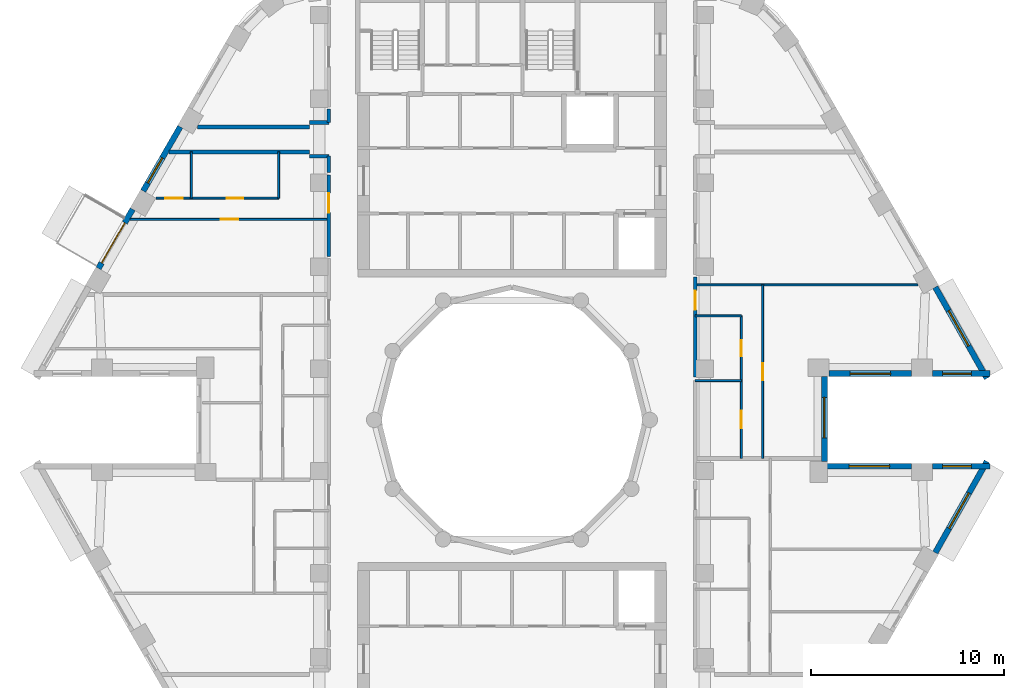
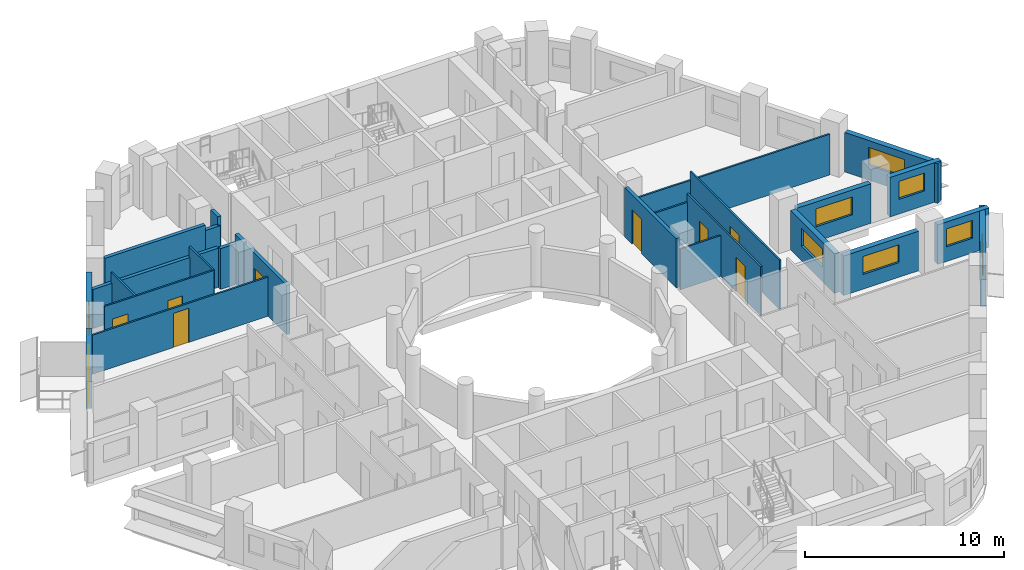
# One storey, part 6 of 13: 26 walls, 9 doors, 8 windows, 17 openings.
"""IFC4 building model written with IfcOpenShell, lengths in metres."""

from ifc_helpers import new_model, si_unit, direction, frame, frame_2d, origin, place, context, subcontext, project, spatial, rectangle, extrude, material, layer, layer_set, type_object, element, fill, save


model = new_model("IFC4")

# Units and contexts
model_context = context("Model", 3, precision=1e-05, world=origin(), true_north=direction((0.0, 1.0)))
body_context = subcontext(model_context, "Body", "Model", "MODEL_VIEW")
ifc_project = project(units=[si_unit("LENGTHUNIT", "METRE"), si_unit("AREAUNIT", "SQUARE_METRE"), si_unit("VOLUMEUNIT", "CUBIC_METRE"), si_unit("PLANEANGLEUNIT", "RADIAN"), si_unit("MASSUNIT", "GRAM", prefix="KILO")], contexts=[model_context])

# Site, building, storey
site_placement = place(None, origin())
site = spatial("IfcSite", under=ifc_project, at=site_placement, CompositionType="ELEMENT")
building_placement = place(site_placement, origin())
building = spatial("IfcBuilding", under=site, at=building_placement, Name="Nakaniwa Court", CompositionType="ELEMENT")
storey_placement = place(building_placement, frame((0.0, 0.0, 242.699951171875)))
storey = spatial("IfcBuildingStorey", under=building, at=storey_placement, Name="L63", CompositionType="ELEMENT", Elevation=242.699951171875)

# Wall, opening, door
ifc_material_1 = material(Name="Acoustic double stud partition")
ifc_layer_1 = layer(ifc_material_1, 0.199951171875)
ifc_layer_set_1 = layer_set([ifc_layer_1], Name="Acoustic double stud partition")
wall_type_1 = type_object("IfcWallType", Name="Acoustic double stud partition 200", PredefinedType="PARTITIONING", material=ifc_layer_set_1)
wall_1_placement = place(storey_placement, frame((89.5, 87.423095703125, 0.0), z_axis=(0.0, 0.0, 1.0), x_axis=(0.0, -1.0, 0.0)))
wall_1 = element("IfcWall", 1, at=wall_1_placement, inside=storey, type_object=wall_type_1, Name="Partition PW-067", PredefinedType="PARTITIONING", context=body_context, shape_type="SweptSolid", body=[
    extrude(rectangle(XDim=5.18603515625, YDim=0.199951171875, at=frame_2d((2.593017578125, 0.0))), origin(), (0.0, 0.0, 1.0), 3.025146484375),
])
opening_1_placement = place(wall_1_placement, frame((0.722900390625, 0.0, 0.0)))
opening_1 = element("IfcOpeningElement", 2, at=opening_1_placement, cuts=wall_1, Name="Opening D-01-02", PredefinedType="OPENING", context=body_context, shape_type="SweptSolid", body=[
    extrude(rectangle(XDim=1.0, YDim=2.10009765625, at=frame_2d((0.5, 1.050048828125))), frame((0.0, 0.10986328125, 0.0), z_axis=(0.0, -1.0, 0.0), x_axis=(1.0, 0.0, 0.0)), (0.0, 0.0, 1.0), 0.219970703125),
])
ifc_material_2 = material(Name="Solid core timber door set, black veneer", Category="wood")
door_type_1 = type_object("IfcDoorType", Name="Flat entrance door 1000", OperationType="NOTDEFINED", PredefinedType="DOOR", material=ifc_material_2)
door_1_placement = place(opening_1_placement, origin())
door_1 = element("IfcDoor", 3, at=door_1_placement, inside=storey, type_object=door_type_1, Name="Door D-01-02 L63-040", OperationType="SINGLE_SWING_LEFT", OverallHeight=2.10009765625, OverallWidth=1.0, PredefinedType="DOOR", context=body_context, shape_type="SweptSolid", body=[
    extrude(rectangle(XDim=1.0, YDim=2.10009765625, at=frame_2d((0.5, 1.050048828125))), frame((0.0, 0.02490234375, 0.0), z_axis=(0.0, -1.0, 0.0), x_axis=(1.0, 0.0, 0.0)), (0.0, 0.0, 1.0), 0.050048828125),
])
fill(opening_1, door_1)

# Walls
wall_2_placement = place(storey_placement, frame((62.217529296875, 93.89990234375, 0.0), z_axis=(0.0, 0.0, 1.0), x_axis=(1.0, 0.0, 0.0)))
element("IfcWall", 4, at=wall_2_placement, inside=storey, type_object=wall_type_1, Name="Partition PW-073", PredefinedType="PARTITIONING", context=body_context, shape_type="SweptSolid", body=[
    extrude(rectangle(XDim=7.282470703125, YDim=0.199951171875, at=frame_2d((3.64111328125, 0.0))), origin(), (0.0, 0.0, 1.0), 2.405029296875),
])
for number, where, z_axis, x_axis, name in (
    (5, (69.5, 93.675048828125, 0.0), (0.0, 0.0, 1.0), (1.0, 0.0, 0.0), "Partition PW-075"),
    (6, (69.5, 95.425048828125, 0.0), (0.0, 0.0, 1.0), (1.0, 0.0, 0.0), "Partition PW-077"),
):
    element("IfcWall", number, at=place(storey_placement, frame(where, z_axis=z_axis, x_axis=x_axis)), inside=storey, type_object=wall_type_1, Name=name, PredefinedType="PARTITIONING", context=body_context, shape_type="SweptSolid", body=[
        extrude(rectangle(XDim=1.0, YDim=0.199951171875, at=frame_2d((0.5, 0.0))), origin(), (0.0, 0.0, 1.0), 2.505126953125),
    ])
wall_3_placement = place(storey_placement, frame((63.68115234375, 95.199951171875, 0.0), z_axis=(0.0, 0.0, 1.0), x_axis=(1.0, 0.0, 0.0)))
element("IfcWall", 7, at=wall_3_placement, inside=storey, type_object=wall_type_1, Name="Partition PW-079", PredefinedType="PARTITIONING", context=body_context, shape_type="SweptSolid", body=[
    extrude(rectangle(XDim=5.81884765625, YDim=0.199951171875, at=frame_2d((2.909423828125, 0.0))), origin(), (0.0, 0.0, 1.0), 3.025146484375),
])

# Wall, opening, door
wall_4_placement = place(storey_placement, frame((70.5, 88.47705078125, 0.0), z_axis=(0.0, 0.0, 1.0), x_axis=(0.0, 1.0, 0.0)))
wall_4 = element("IfcWall", 8, at=wall_4_placement, inside=storey, type_object=wall_type_1, Name="Partition PW-096", PredefinedType="PARTITIONING", context=body_context, shape_type="SweptSolid", body=[
    extrude(rectangle(XDim=4.23583984375, YDim=0.199951171875, at=frame_2d((2.117919921875, 0.0))), origin(), (0.0, 0.0, 1.0), 3.025146484375),
])
opening_2_placement = place(wall_4_placement, frame((2.278076171875, 0.0, 0.0)))
opening_2 = element("IfcOpeningElement", 9, at=opening_2_placement, cuts=wall_4, Name="Opening D-01-05", PredefinedType="OPENING", context=body_context, shape_type="SweptSolid", body=[
    extrude(rectangle(XDim=1.0, YDim=2.10009765625, at=frame_2d((0.5, 1.050048828125))), frame((0.0, 0.10986328125, 0.0), z_axis=(0.0, -1.0, 0.0), x_axis=(1.0, 0.0, 0.0)), (0.0, 0.0, 1.0), 0.219970703125),
])
door_2_placement = place(opening_2_placement, origin())
door_2 = element("IfcDoor", 10, at=door_2_placement, inside=storey, type_object=door_type_1, Name="Door D-01-05 L63-055", OperationType="SINGLE_SWING_RIGHT", OverallHeight=2.10009765625, OverallWidth=1.0, PredefinedType="DOOR", context=body_context, shape_type="SweptSolid", body=[
    extrude(rectangle(XDim=1.0, YDim=2.10009765625, at=frame_2d((0.5, 1.050048828125))), frame((0.0, 0.02490234375, 0.0), z_axis=(0.0, -1.0, 0.0), x_axis=(1.0, 0.0, 0.0)), (0.0, 0.0, 1.0), 0.050048828125),
])
fill(opening_2, door_2)

# Walls
wall_5_placement = place(storey_placement, frame((70.5, 92.826904296875, 0.0), z_axis=(0.0, 0.0, 1.0), x_axis=(0.0, 1.0, 0.0)))
element("IfcWall", 11, at=wall_5_placement, inside=storey, type_object=wall_type_1, Name="Partition PW-097", PredefinedType="PARTITIONING", context=body_context, shape_type="SweptSolid", body=[
    extrude(rectangle(XDim=0.85107421875, YDim=0.199951171875, at=frame_2d((0.425537109375, 0.0))), origin(), (0.0, 0.0, 1.0), 3.025146484375),
])
wall_6_placement = place(storey_placement, frame((70.5, 95.422119140625, 0.0), z_axis=(0.0, 0.0, 1.0), x_axis=(0.0, 1.0, 0.0)))
element("IfcWall", 12, at=wall_6_placement, inside=storey, type_object=wall_type_1, Name="Partition PW-098", PredefinedType="PARTITIONING", context=body_context, shape_type="SweptSolid", body=[
    extrude(rectangle(XDim=0.700927734375, YDim=0.199951171875, at=frame_2d((0.3505859375, 0.0))), origin(), (0.0, 0.0, 1.0), 3.025146484375),
])

# Wall, opening, window
ifc_material_3 = material(Name="Charcoal ceramic cladding")
ifc_layer_2 = layer(ifc_material_3, 0.02, Name="Ceramic cladding")
ifc_material_4 = material(Name="Ventilated air cavity")
ifc_layer_3 = layer(ifc_material_4, 0.04, ventilated=True, Name="Ventilated cavity")
ifc_material_5 = material(Name="Mineral wool insulation")
ifc_layer_4 = layer(ifc_material_5, 0.1, Name="Insulation")
ifc_material_6 = material(Name="Cement bonded sheathing board")
ifc_layer_5 = layer(ifc_material_6, 0.012, Name="Sheathing")
ifc_material_7 = material(Name="Cold-formed galvanised stud frame with mineral wool infill")
ifc_layer_6 = layer(ifc_material_7, 0.1, Name="Stud frame")
ifc_material_8 = material(Name="Fire-rated gypsum plasterboard lining")
ifc_layer_7 = layer(ifc_material_8, 0.028, Name="Lining")
ifc_layer_set_2 = layer_set([ifc_layer_2, ifc_layer_3, ifc_layer_4, ifc_layer_5, ifc_layer_6, ifc_layer_7], Name="Charcoal ceramic faced external wall system")
wall_type_2 = type_object("IfcWallType", Name="Black ceramic faced external wall 300", PredefinedType="SOLIDWALL", material=ifc_layer_set_2)
wall_7_placement = place(storey_placement, frame((96.445556640625, 82.39990234375, 0.0), z_axis=(0.0, 0.0, 1.0), x_axis=(1.0, 0.0, 0.0)))
wall_7 = element("IfcWall", 13, at=wall_7_placement, inside=storey, type_object=wall_type_2, Name="L63 external wall 00", PredefinedType="SOLIDWALL", context=body_context, shape_type="SweptSolid", body=[
    extrude(rectangle(XDim=4.2724609375, YDim=0.300048828125, at=frame_2d((2.13623046875, 0.0))), origin(), (0.0, 0.0, 1.0), 2.425048828125),
])
opening_3_placement = place(wall_7_placement, frame((1.086181640625, 0.0, 0.89990234375)))
opening_3 = element("IfcOpeningElement", 14, at=opening_3_placement, cuts=wall_7, Name="Opening W7.01", PredefinedType="OPENING", context=body_context, shape_type="SweptSolid", body=[
    extrude(rectangle(XDim=2.10009765625, YDim=1.10009765625, at=frame_2d((1.050048828125, 0.550048828125))), frame((0.0, 0.159912109375, 0.0), z_axis=(0.0, -1.0, 0.0), x_axis=(1.0, 0.0, 0.0)), (0.0, 0.0, 1.0), 0.320068359375),
])
ifc_material_9 = material(Name="Black anodised aluminium frame with dark low-E laminated double glazing", Category="aluminium")
window_type_1 = type_object("IfcWindowType", Name="Dark glass window 2100x1100 sill 900", PartitioningType="SINGLE_PANEL", PredefinedType="WINDOW", material=ifc_material_9)
window_1_placement = place(opening_3_placement, origin())
window_1 = element("IfcWindow", 15, at=window_1_placement, inside=storey, type_object=window_type_1, Name="L63 living window 00-0", OverallHeight=1.10009765625, OverallWidth=2.10009765625, PartitioningType="SINGLE_PANEL", PredefinedType="WINDOW", context=body_context, shape_type="SweptSolid", body=[
    extrude(rectangle(XDim=2.10009765625, YDim=1.10009765625, at=frame_2d((1.050048828125, 0.550048828125))), frame((0.0, 0.030029296875, 0.0), z_axis=(0.0, -1.0, 0.0), x_axis=(1.0, 0.0, 0.0)), (0.0, 0.0, 1.0), 0.06005859375),
])
fill(opening_3, window_1)

wall_8_placement = place(storey_placement, frame((101.81005859375, 82.39990234375, 0.0), z_axis=(0.0, 0.0, 1.0), x_axis=(1.0, 0.0, 0.0)))
wall_8 = element("IfcWall", 16, at=wall_8_placement, inside=storey, type_object=wall_type_2, Name="L63 external wall 01", PredefinedType="SOLIDWALL", context=body_context, shape_type="SweptSolid", body=[
    extrude(rectangle(XDim=2.98779296875, YDim=0.300048828125, at=frame_2d((1.493896484375, 0.0))), origin(), (0.0, 0.0, 1.0), 2.425048828125),
])
opening_4_placement = place(wall_8_placement, frame((0.51904296875, 0.0, 0.89990234375)))
opening_4 = element("IfcOpeningElement", 17, at=opening_4_placement, cuts=wall_8, Name="Opening W5.02", PredefinedType="OPENING", context=body_context, shape_type="SweptSolid", body=[
    extrude(rectangle(XDim=1.5, YDim=1.10009765625, at=frame_2d((0.75, 0.550048828125))), frame((0.0, 0.159912109375, 0.0), z_axis=(0.0, -1.0, 0.0), x_axis=(1.0, 0.0, 0.0)), (0.0, 0.0, 1.0), 0.320068359375),
])
window_type_2 = type_object("IfcWindowType", Name="Dark glass window 1500x1100 sill 900", PartitioningType="SINGLE_PANEL", PredefinedType="WINDOW", material=ifc_material_9)
window_2_placement = place(opening_4_placement, origin())
window_2 = element("IfcWindow", 18, at=window_2_placement, inside=storey, type_object=window_type_2, Name="L63 living window 01-0", OverallHeight=1.10009765625, OverallWidth=1.5, PartitioningType="SINGLE_PANEL", PredefinedType="WINDOW", context=body_context, shape_type="SweptSolid", body=[
    extrude(rectangle(XDim=1.5, YDim=1.10009765625, at=frame_2d((0.75, 0.550048828125))), frame((0.0, 0.030029296875, 0.0), z_axis=(0.0, -1.0, 0.0), x_axis=(1.0, 0.0, 0.0)), (0.0, 0.0, 1.0), 0.06005859375),
])
fill(opening_4, window_2)

wall_9_placement = place(storey_placement, frame((104.627197265625, 82.153564453125, 0.0), z_axis=(0.0, 0.0, 1.0), x_axis=(-0.492080931903, 0.870549456641, 0.0)))
wall_9 = element("IfcWall", 19, at=wall_9_placement, inside=storey, type_object=wall_type_2, Name="L63 external wall 02", PredefinedType="SOLIDWALL", context=body_context, shape_type="SweptSolid", body=[
    extrude(rectangle(XDim=5.436767578125, YDim=0.300048828125, at=frame_2d((2.71826171875, 0.0))), origin(), (0.0, 0.0, 1.0), 2.425048828125),
])
opening_5_placement = place(wall_9_placement, frame((1.931396484375, 0.0, 0.89990234375)))
opening_5 = element("IfcOpeningElement", 20, at=opening_5_placement, cuts=wall_9, Name="Opening W7.03", PredefinedType="OPENING", context=body_context, shape_type="SweptSolid", body=[
    extrude(rectangle(XDim=2.10009765625, YDim=1.10009765625, at=frame_2d((1.050048828125, 0.550048828125))), frame((0.0, 0.159912109375, 0.0), z_axis=(0.0, -1.0, 0.0), x_axis=(1.0, 0.0, 0.0)), (0.0, 0.0, 1.0), 0.320068359375),
])
window_3_placement = place(opening_5_placement, origin())
window_3 = element("IfcWindow", 21, at=window_3_placement, inside=storey, type_object=window_type_1, Name="L63 living window 02-0", OverallHeight=1.10009765625, OverallWidth=2.10009765625, PartitioningType="SINGLE_PANEL", PredefinedType="WINDOW", context=body_context, shape_type="SweptSolid", body=[
    extrude(rectangle(XDim=2.10009765625, YDim=1.10009765625, at=frame_2d((1.050048828125, 0.550048828125))), frame((0.0, 0.030029296875, 0.0), z_axis=(0.0, -1.0, 0.0), x_axis=(1.0, 0.0, 0.0)), (0.0, 0.0, 1.0), 0.06005859375),
])
fill(opening_5, window_3)

wall_10_placement = place(storey_placement, frame((62.7958984375, 95.201904296875, 0.0), z_axis=(0.0, 0.0, 1.0), x_axis=(-0.499984490703, -0.866034357896, 0.0)))
wall_10 = element("IfcWall", 22, at=wall_10_placement, inside=storey, type_object=wall_type_2, Name="L63 external wall 12", PredefinedType="SOLIDWALL", context=body_context, shape_type="SweptSolid", body=[
    extrude(rectangle(XDim=3.84423828125, YDim=0.300048828125, at=frame_2d((1.922119140625, 0.0))), origin(), (0.0, 0.0, 1.0), 2.425048828125),
])
opening_6_placement = place(wall_10_placement, frame((1.86279296875, 0.0, 0.89990234375)))
opening_6 = element("IfcOpeningElement", 23, at=opening_6_placement, cuts=wall_10, Name="Opening W5.12", PredefinedType="OPENING", context=body_context, shape_type="SweptSolid", body=[
    extrude(rectangle(XDim=1.5, YDim=1.10009765625, at=frame_2d((0.75, 0.550048828125))), frame((0.0, 0.159912109375, 0.0), z_axis=(0.0, -1.0, 0.0), x_axis=(1.0, 0.0, 0.0)), (0.0, 0.0, 1.0), 0.320068359375),
])
window_4_placement = place(opening_6_placement, origin())
window_4 = element("IfcWindow", 24, at=window_4_placement, inside=storey, type_object=window_type_2, Name="L63 habitable room window 12-1", OverallHeight=1.10009765625, OverallWidth=1.5, PartitioningType="SINGLE_PANEL", PredefinedType="WINDOW", context=body_context, shape_type="SweptSolid", body=[
    extrude(rectangle(XDim=1.5, YDim=1.10009765625, at=frame_2d((0.75, 0.550048828125))), frame((0.0, 0.030029296875, 0.0), z_axis=(0.0, -1.0, 0.0), x_axis=(1.0, 0.0, 0.0)), (0.0, 0.0, 1.0), 0.06005859375),
])
fill(opening_6, window_4)

# Wall, opening, door
wall_11_placement = place(storey_placement, frame((60.327880859375, 90.927001953125, 0.0), z_axis=(0.0, 0.0, 1.0), x_axis=(-0.500010404316, -0.866019396766, 0.0)))
wall_11 = element("IfcWall", 25, at=wall_11_placement, inside=storey, type_object=wall_type_2, Name="L63 external wall 13", PredefinedType="SOLIDWALL", context=body_context, shape_type="SweptSolid", body=[
    extrude(rectangle(XDim=3.54736328125, YDim=0.300048828125, at=frame_2d((1.773681640625, 0.0))), origin(), (0.0, 0.0, 1.0), 2.425048828125),
])
opening_7_placement = place(wall_11_placement, frame((0.816650390625, 0.0, 0.0)))
opening_7 = element("IfcOpeningElement", 26, at=opening_7_placement, cuts=wall_11, Name="Opening XD13.01", PredefinedType="OPENING", context=body_context, shape_type="SweptSolid", body=[
    extrude(rectangle(XDim=2.39990234375, YDim=2.0, at=frame_2d((1.199951171875, 1.0))), frame((0.0, 0.159912109375, 0.0), z_axis=(0.0, -1.0, 0.0), x_axis=(1.0, 0.0, 0.0)), (0.0, 0.0, 1.0), 0.320068359375),
])
ifc_material_10 = material(Name="Black powder-coated aluminium frame with dark laminated glass", Category="aluminium")
door_type_2 = type_object("IfcDoorType", Name="Balcony sliding door 2400x2000", OperationType="DOUBLE_DOOR_SLIDING", PredefinedType="DOOR", material=ifc_material_10)
door_3_placement = place(opening_7_placement, origin())
door_3 = element("IfcDoor", 27, at=door_3_placement, inside=storey, type_object=door_type_2, Name="L63 balcony sliding door 01", OperationType="DOUBLE_DOOR_SLIDING", OverallHeight=2.0, OverallWidth=2.39990234375, PredefinedType="DOOR", context=body_context, shape_type="SweptSolid", body=[
    extrude(rectangle(XDim=2.39990234375, YDim=2.0, at=frame_2d((1.199951171875, 1.0))), frame((0.0, 0.02490234375, 0.0), z_axis=(0.0, -1.0, 0.0), x_axis=(1.0, 0.0, 0.0)), (0.0, 0.0, 1.0), 0.050048828125),
])
fill(opening_7, door_3)

# Wall, opening, window
wall_12_placement = place(storey_placement, frame((101.951904296875, 73.113525390625, 0.0), z_axis=(0.0, 0.0, 1.0), x_axis=(0.492080931903, 0.870549456641, 0.0)))
wall_12 = element("IfcWall", 28, at=wall_12_placement, inside=storey, type_object=wall_type_2, Name="L63 external wall 32", PredefinedType="SOLIDWALL", context=body_context, shape_type="SweptSolid", body=[
    extrude(rectangle(XDim=5.436767578125, YDim=0.300048828125, at=frame_2d((2.71826171875, 0.0))), origin(), (0.0, 0.0, 1.0), 2.425048828125),
])
opening_8_placement = place(wall_12_placement, frame((1.453369140625, 0.0, 0.89990234375)))
opening_8 = element("IfcOpeningElement", 29, at=opening_8_placement, cuts=wall_12, Name="Opening W7.32", PredefinedType="OPENING", context=body_context, shape_type="SweptSolid", body=[
    extrude(rectangle(XDim=2.10009765625, YDim=1.10009765625, at=frame_2d((1.050048828125, 0.550048828125))), frame((0.0, 0.159912109375, 0.0), z_axis=(0.0, -1.0, 0.0), x_axis=(1.0, 0.0, 0.0)), (0.0, 0.0, 1.0), 0.320068359375),
])
window_5_placement = place(opening_8_placement, origin())
window_5 = element("IfcWindow", 30, at=window_5_placement, inside=storey, type_object=window_type_1, Name="L63 living window 32-0", OverallHeight=1.10009765625, OverallWidth=2.10009765625, PartitioningType="SINGLE_PANEL", PredefinedType="WINDOW", context=body_context, shape_type="SweptSolid", body=[
    extrude(rectangle(XDim=2.10009765625, YDim=1.10009765625, at=frame_2d((1.050048828125, 0.550048828125))), frame((0.0, 0.030029296875, 0.0), z_axis=(0.0, -1.0, 0.0), x_axis=(1.0, 0.0, 0.0)), (0.0, 0.0, 1.0), 0.06005859375),
])
fill(opening_8, window_5)

wall_13_placement = place(storey_placement, frame((104.7978515625, 77.60009765625, 0.0), z_axis=(0.0, 0.0, 1.0), x_axis=(-1.0, 0.0, 0.0)))
wall_13 = element("IfcWall", 31, at=wall_13_placement, inside=storey, type_object=wall_type_2, Name="L63 external wall 33", PredefinedType="SOLIDWALL", context=body_context, shape_type="SweptSolid", body=[
    extrude(rectangle(XDim=2.98779296875, YDim=0.300048828125, at=frame_2d((1.493896484375, 0.0))), origin(), (0.0, 0.0, 1.0), 2.425048828125),
])
opening_9_placement = place(wall_13_placement, frame((0.968994140625, 0.0, 0.89990234375)))
opening_9 = element("IfcOpeningElement", 32, at=opening_9_placement, cuts=wall_13, Name="Opening W5.33", PredefinedType="OPENING", context=body_context, shape_type="SweptSolid", body=[
    extrude(rectangle(XDim=1.5, YDim=1.10009765625, at=frame_2d((0.75, 0.550048828125))), frame((0.0, 0.159912109375, 0.0), z_axis=(0.0, -1.0, 0.0), x_axis=(1.0, 0.0, 0.0)), (0.0, 0.0, 1.0), 0.320068359375),
])
window_6_placement = place(opening_9_placement, origin())
window_6 = element("IfcWindow", 33, at=window_6_placement, inside=storey, type_object=window_type_2, Name="L63 living window 33-0", OverallHeight=1.10009765625, OverallWidth=1.5, PartitioningType="SINGLE_PANEL", PredefinedType="WINDOW", context=body_context, shape_type="SweptSolid", body=[
    extrude(rectangle(XDim=1.5, YDim=1.10009765625, at=frame_2d((0.75, 0.550048828125))), frame((0.0, 0.030029296875, 0.0), z_axis=(0.0, -1.0, 0.0), x_axis=(1.0, 0.0, 0.0)), (0.0, 0.0, 1.0), 0.06005859375),
])
fill(opening_9, window_6)

wall_14_placement = place(storey_placement, frame((100.718017578125, 77.60009765625, 0.0), z_axis=(0.0, 0.0, 1.0), x_axis=(-1.0, 0.0, 0.0)))
wall_14 = element("IfcWall", 34, at=wall_14_placement, inside=storey, type_object=wall_type_2, Name="L63 external wall 34", PredefinedType="SOLIDWALL", context=body_context, shape_type="SweptSolid", body=[
    extrude(rectangle(XDim=4.37255859375, YDim=0.300048828125, at=frame_2d((2.186279296875, 0.0))), origin(), (0.0, 0.0, 1.0), 2.425048828125),
])
opening_10_placement = place(wall_14_placement, frame((1.13623046875, 0.0, 0.89990234375)))
opening_10 = element("IfcOpeningElement", 35, at=opening_10_placement, cuts=wall_14, Name="Opening W7.34", PredefinedType="OPENING", context=body_context, shape_type="SweptSolid", body=[
    extrude(rectangle(XDim=2.10009765625, YDim=1.10009765625, at=frame_2d((1.050048828125, 0.550048828125))), frame((0.0, 0.159912109375, 0.0), z_axis=(0.0, -1.0, 0.0), x_axis=(1.0, 0.0, 0.0)), (0.0, 0.0, 1.0), 0.320068359375),
])
window_7_placement = place(opening_10_placement, origin())
window_7 = element("IfcWindow", 36, at=window_7_placement, inside=storey, type_object=window_type_1, Name="L63 living window 34-0", OverallHeight=1.10009765625, OverallWidth=2.10009765625, PartitioningType="SINGLE_PANEL", PredefinedType="WINDOW", context=body_context, shape_type="SweptSolid", body=[
    extrude(rectangle(XDim=2.10009765625, YDim=1.10009765625, at=frame_2d((1.050048828125, 0.550048828125))), frame((0.0, 0.030029296875, 0.0), z_axis=(0.0, -1.0, 0.0), x_axis=(1.0, 0.0, 0.0)), (0.0, 0.0, 1.0), 0.06005859375),
])
fill(opening_10, window_7)

wall_15_placement = place(storey_placement, frame((96.199462890625, 77.845947265625, 0.0), z_axis=(0.0, 0.0, 1.0), x_axis=(0.0, 1.0, 0.0)))
wall_15 = element("IfcWall", 37, at=wall_15_placement, inside=storey, type_object=wall_type_2, Name="L63 external wall 35", PredefinedType="SOLIDWALL", context=body_context, shape_type="SweptSolid", body=[
    extrude(rectangle(XDim=4.407958984375, YDim=0.300048828125, at=frame_2d((2.2041015625, 0.0))), origin(), (0.0, 0.0, 1.0), 2.425048828125),
])
opening_11_placement = place(wall_15_placement, frame((1.218994140625, 0.0, 0.89990234375)))
opening_11 = element("IfcOpeningElement", 38, at=opening_11_placement, cuts=wall_15, Name="Opening W7.35", PredefinedType="OPENING", context=body_context, shape_type="SweptSolid", body=[
    extrude(rectangle(XDim=2.10009765625, YDim=1.10009765625, at=frame_2d((1.050048828125, 0.550048828125))), frame((0.0, 0.159912109375, 0.0), z_axis=(0.0, -1.0, 0.0), x_axis=(1.0, 0.0, 0.0)), (0.0, 0.0, 1.0), 0.320068359375),
])
window_8_placement = place(opening_11_placement, origin())
window_8 = element("IfcWindow", 39, at=window_8_placement, inside=storey, type_object=window_type_1, Name="L63 living window 35-1", OverallHeight=1.10009765625, OverallWidth=2.10009765625, PartitioningType="SINGLE_PANEL", PredefinedType="WINDOW", context=body_context, shape_type="SweptSolid", body=[
    extrude(rectangle(XDim=2.10009765625, YDim=1.10009765625, at=frame_2d((1.050048828125, 0.550048828125))), frame((0.0, 0.030029296875, 0.0), z_axis=(0.0, -1.0, 0.0), x_axis=(1.0, 0.0, 0.0)), (0.0, 0.0, 1.0), 0.06005859375),
])
fill(opening_11, window_8)

# Wall
ifc_material_11 = material(Name="Single stud plasterboard partition")
ifc_layer_8 = layer(ifc_material_11, 0.10009765625)
ifc_layer_set_3 = layer_set([ifc_layer_8], Name="Single stud plasterboard partition")
wall_type_3 = type_object("IfcWallType", Name="Single stud plasterboard partition 100", PredefinedType="PARTITIONING", material=ifc_layer_set_3)
wall_16_placement = place(storey_placement, frame((89.5, 82.035888671875, 0.0), z_axis=(0.0, 0.0, 1.0), x_axis=(1.0, 0.0, 0.0)))
element("IfcWall", 40, at=wall_16_placement, inside=storey, type_object=wall_type_3, Name="Partition PW-108", PredefinedType="PARTITIONING", context=body_context, shape_type="SweptSolid", body=[
    extrude(rectangle(XDim=2.39990234375, YDim=0.10009765625, at=frame_2d((1.199951171875, 0.0))), origin(), (0.0, 0.0, 1.0), 2.505126953125),
])

# Wall, openings, doors
wall_17_placement = place(storey_placement, frame((91.89990234375, 78.0, 0.0), z_axis=(0.0, 0.0, 1.0), x_axis=(0.0, 1.0, 0.0)))
wall_17 = element("IfcWall", 41, at=wall_17_placement, inside=storey, type_object=wall_type_3, Name="Partition PW-109", PredefinedType="PARTITIONING", context=body_context, shape_type="SweptSolid", body=[
    extrude(rectangle(XDim=7.39990234375, YDim=0.10009765625, at=frame_2d((3.699951171875, 0.0))), origin(), (0.0, 0.0, 1.0), 3.025146484375),
])
opening_12_placement = place(wall_17_placement, frame((1.568115234375, 0.0, 0.0)))
opening_12 = element("IfcOpeningElement", 42, at=opening_12_placement, cuts=wall_17, Name="Opening D-33-05", PredefinedType="OPENING", context=body_context, shape_type="SweptSolid", body=[
    extrude(rectangle(XDim=0.89990234375, YDim=2.10009765625, at=frame_2d((0.449951171875, 1.050048828125))), frame((0.0, 0.06005859375, 0.0), z_axis=(0.0, -1.0, 0.0), x_axis=(1.0, 0.0, 0.0)), (0.0, 0.0, 1.0), 0.1201171875),
])
opening_13_placement = place(wall_17_placement, frame((5.29296875, 0.0, 0.0)))
opening_13 = element("IfcOpeningElement", 43, at=opening_13_placement, cuts=wall_17, Name="Opening D-03-02", PredefinedType="OPENING", context=body_context, shape_type="SweptSolid", body=[
    extrude(rectangle(XDim=0.85009765625, YDim=2.10009765625, at=frame_2d((0.425048828125, 1.050048828125))), frame((0.0, 0.06005859375, 0.0), z_axis=(0.0, -1.0, 0.0), x_axis=(1.0, 0.0, 0.0)), (0.0, 0.0, 1.0), 0.1201171875),
])
ifc_material_12 = material(Name="Moisture sealed timber door set", Category="wood")
door_type_3 = type_object("IfcDoorType", Name="Bathroom door 850", OperationType="NOTDEFINED", PredefinedType="DOOR", material=ifc_material_12)
door_4_placement = place(opening_13_placement, origin())
door_4 = element("IfcDoor", 44, at=door_4_placement, inside=storey, type_object=door_type_3, Name="Door D-03-02 L63-042", OperationType="SINGLE_SWING_LEFT", OverallHeight=2.10009765625, OverallWidth=0.85009765625, PredefinedType="DOOR", context=body_context, shape_type="SweptSolid", body=[
    extrude(rectangle(XDim=0.85009765625, YDim=2.10009765625, at=frame_2d((0.425048828125, 1.050048828125))), frame((0.0, 0.02490234375, 0.0), z_axis=(0.0, -1.0, 0.0), x_axis=(1.0, 0.0, 0.0)), (0.0, 0.0, 1.0), 0.050048828125),
])
fill(opening_13, door_4)
door_type_4 = type_object("IfcDoorType", Name="Internal door 900", OperationType="NOTDEFINED", PredefinedType="DOOR", material=ifc_material_2)
door_5_placement = place(opening_12_placement, origin())
door_5 = element("IfcDoor", 45, at=door_5_placement, inside=storey, type_object=door_type_4, Name="Door D-33-05 L63-041", OperationType="SINGLE_SWING_RIGHT", OverallHeight=2.10009765625, OverallWidth=0.89990234375, PredefinedType="DOOR", context=body_context, shape_type="SweptSolid", body=[
    extrude(rectangle(XDim=0.89990234375, YDim=2.10009765625, at=frame_2d((0.449951171875, 1.050048828125))), frame((0.0, 0.02490234375, 0.0), z_axis=(0.0, -1.0, 0.0), x_axis=(1.0, 0.0, 0.0)), (0.0, 0.0, 1.0), 0.050048828125),
])
fill(opening_12, door_5)

# Wall
wall_18_placement = place(storey_placement, frame((89.5, 85.39990234375, 0.0), z_axis=(0.0, 0.0, 1.0), x_axis=(1.0, 0.0, 0.0)))
element("IfcWall", 46, at=wall_18_placement, inside=storey, type_object=wall_type_3, Name="Partition PW-110", PredefinedType="PARTITIONING", context=body_context, shape_type="SweptSolid", body=[
    extrude(rectangle(XDim=2.39990234375, YDim=0.10009765625, at=frame_2d((1.199951171875, 0.0))), origin(), (0.0, 0.0, 1.0), 2.505126953125),
])

# Wall, opening, door
wall_19_placement = place(storey_placement, frame((93.0, 87.0, 0.0), z_axis=(0.0, 0.0, 1.0), x_axis=(0.0, -1.0, 0.0)))
wall_19 = element("IfcWall", 47, at=wall_19_placement, inside=storey, type_object=wall_type_3, Name="Partition PW-111", PredefinedType="PARTITIONING", context=body_context, shape_type="SweptSolid", body=[
    extrude(rectangle(XDim=9.0, YDim=0.10009765625, at=frame_2d((4.5, 0.0))), origin(), (0.0, 0.0, 1.0), 3.025146484375),
])
opening_14_placement = place(wall_19_placement, frame((4.050048828125, 0.0, 0.0)))
opening_14 = element("IfcOpeningElement", 48, at=opening_14_placement, cuts=wall_19, Name="Opening D-33-06", PredefinedType="OPENING", context=body_context, shape_type="SweptSolid", body=[
    extrude(rectangle(XDim=0.89990234375, YDim=2.10009765625, at=frame_2d((0.449951171875, 1.050048828125))), frame((0.0, 0.06005859375, 0.0), z_axis=(0.0, -1.0, 0.0), x_axis=(1.0, 0.0, 0.0)), (0.0, 0.0, 1.0), 0.1201171875),
])
door_6_placement = place(opening_14_placement, origin())
door_6 = element("IfcDoor", 49, at=door_6_placement, inside=storey, type_object=door_type_4, Name="Door D-33-06 L63-043", OperationType="SINGLE_SWING_RIGHT", OverallHeight=2.10009765625, OverallWidth=0.89990234375, PredefinedType="DOOR", context=body_context, shape_type="SweptSolid", body=[
    extrude(rectangle(XDim=0.89990234375, YDim=2.10009765625, at=frame_2d((0.449951171875, 1.050048828125))), frame((0.0, 0.02490234375, 0.0), z_axis=(0.0, -1.0, 0.0), x_axis=(1.0, 0.0, 0.0)), (0.0, 0.0, 1.0), 0.050048828125),
])
fill(opening_14, door_6)

# Walls
wall_20_placement = place(storey_placement, frame((89.5, 87.0, 0.0), z_axis=(0.0, 0.0, 1.0), x_axis=(1.0, 0.0, 0.0)))
element("IfcWall", 50, at=wall_20_placement, inside=storey, type_object=wall_type_3, Name="Partition PW-112", PredefinedType="PARTITIONING", context=body_context, shape_type="SweptSolid", body=[
    extrude(rectangle(XDim=11.55029296875, YDim=0.10009765625, at=frame_2d((5.775146484375, 0.0))), origin(), (0.0, 0.0, 1.0), 2.505126953125),
])
wall_21_placement = place(storey_placement, frame((63.375, 91.5, 0.0), z_axis=(0.0, 0.0, 1.0), x_axis=(0.0, 1.0, 0.0)))
element("IfcWall", 51, at=wall_21_placement, inside=storey, type_object=wall_type_3, Name="Partition PW-126", PredefinedType="PARTITIONING", context=body_context, shape_type="SweptSolid", body=[
    extrude(rectangle(XDim=2.39990234375, YDim=0.10009765625, at=frame_2d((1.199951171875, 0.0))), origin(), (0.0, 0.0, 1.0), 3.025146484375),
])

# Wall, openings, doors
wall_22_placement = place(storey_placement, frame((61.5478515625, 91.5, 0.0), z_axis=(0.0, 0.0, 1.0), x_axis=(1.0, 0.0, 0.0)))
wall_22 = element("IfcWall", 52, at=wall_22_placement, inside=storey, type_object=wall_type_3, Name="Partition PW-127", PredefinedType="PARTITIONING", context=body_context, shape_type="SweptSolid", body=[
    extrude(rectangle(XDim=6.35205078125, YDim=0.10009765625, at=frame_2d((3.176025390625, 0.0))), origin(), (0.0, 0.0, 1.0), 3.025146484375),
])
opening_15_placement = place(wall_22_placement, frame((0.464111328125, 0.0, 0.0)))
opening_15 = element("IfcOpeningElement", 53, at=opening_15_placement, cuts=wall_22, Name="Opening D-33-13", PredefinedType="OPENING", context=body_context, shape_type="SweptSolid", body=[
    extrude(rectangle(XDim=0.89990234375, YDim=2.10009765625, at=frame_2d((0.449951171875, 1.050048828125))), frame((0.0, 0.06005859375, 0.0), z_axis=(0.0, -1.0, 0.0), x_axis=(1.0, 0.0, 0.0)), (0.0, 0.0, 1.0), 0.1201171875),
])
opening_16_placement = place(wall_22_placement, frame((3.6650390625, 0.0, 0.0)))
opening_16 = element("IfcOpeningElement", 54, at=opening_16_placement, cuts=wall_22, Name="Opening D-03-05", PredefinedType="OPENING", context=body_context, shape_type="SweptSolid", body=[
    extrude(rectangle(XDim=0.85009765625, YDim=2.10009765625, at=frame_2d((0.425048828125, 1.050048828125))), frame((0.0, 0.06005859375, 0.0), z_axis=(0.0, -1.0, 0.0), x_axis=(1.0, 0.0, 0.0)), (0.0, 0.0, 1.0), 0.1201171875),
])
door_7_placement = place(opening_16_placement, origin())
door_7 = element("IfcDoor", 55, at=door_7_placement, inside=storey, type_object=door_type_3, Name="Door D-03-05 L63-057", OperationType="SINGLE_SWING_RIGHT", OverallHeight=2.10009765625, OverallWidth=0.85009765625, PredefinedType="DOOR", context=body_context, shape_type="SweptSolid", body=[
    extrude(rectangle(XDim=0.85009765625, YDim=2.10009765625, at=frame_2d((0.425048828125, 1.050048828125))), frame((0.0, 0.02490234375, 0.0), z_axis=(0.0, -1.0, 0.0), x_axis=(1.0, 0.0, 0.0)), (0.0, 0.0, 1.0), 0.050048828125),
])
fill(opening_16, door_7)
door_8_placement = place(opening_15_placement, origin())
door_8 = element("IfcDoor", 56, at=door_8_placement, inside=storey, type_object=door_type_4, Name="Door D-33-13 L63-056", OperationType="SINGLE_SWING_LEFT", OverallHeight=2.10009765625, OverallWidth=0.89990234375, PredefinedType="DOOR", context=body_context, shape_type="SweptSolid", body=[
    extrude(rectangle(XDim=0.89990234375, YDim=2.10009765625, at=frame_2d((0.449951171875, 1.050048828125))), frame((0.0, 0.02490234375, 0.0), z_axis=(0.0, -1.0, 0.0), x_axis=(1.0, 0.0, 0.0)), (0.0, 0.0, 1.0), 0.050048828125),
])
fill(opening_15, door_8)

# Wall
wall_23_placement = place(storey_placement, frame((67.89990234375, 91.5, 0.0), z_axis=(0.0, 0.0, 1.0), x_axis=(0.0, 1.0, 0.0)))
element("IfcWall", 57, at=wall_23_placement, inside=storey, type_object=wall_type_3, Name="Partition PW-128", PredefinedType="PARTITIONING", context=body_context, shape_type="SweptSolid", body=[
    extrude(rectangle(XDim=2.39990234375, YDim=0.10009765625, at=frame_2d((1.199951171875, 0.0))), origin(), (0.0, 0.0, 1.0), 3.025146484375),
])

# Wall, opening, door
wall_24_placement = place(storey_placement, frame((70.5, 90.39990234375, 0.0), z_axis=(0.0, 0.0, 1.0), x_axis=(-1.0, 0.0, 0.0)))
wall_24 = element("IfcWall", 58, at=wall_24_placement, inside=storey, type_object=wall_type_3, Name="Partition PW-129", PredefinedType="PARTITIONING", context=body_context, shape_type="SweptSolid", body=[
    extrude(rectangle(XDim=10.302978515625, YDim=0.10009765625, at=frame_2d((5.1513671875, 0.0))), origin(), (0.0, 0.0, 1.0), 2.405029296875),
])
opening_17_placement = place(wall_24_placement, frame((4.700927734375, 0.0, 0.0)))
opening_17 = element("IfcOpeningElement", 59, at=opening_17_placement, cuts=wall_24, Name="Opening D-33-14", PredefinedType="OPENING", context=body_context, shape_type="SweptSolid", body=[
    extrude(rectangle(XDim=0.89990234375, YDim=2.10009765625, at=frame_2d((0.449951171875, 1.050048828125))), frame((0.0, 0.06005859375, 0.0), z_axis=(0.0, -1.0, 0.0), x_axis=(1.0, 0.0, 0.0)), (0.0, 0.0, 1.0), 0.1201171875),
])
door_9_placement = place(opening_17_placement, origin())
door_9 = element("IfcDoor", 60, at=door_9_placement, inside=storey, type_object=door_type_4, Name="Door D-33-14 L63-058", OperationType="SINGLE_SWING_LEFT", OverallHeight=2.10009765625, OverallWidth=0.89990234375, PredefinedType="DOOR", context=body_context, shape_type="SweptSolid", body=[
    extrude(rectangle(XDim=0.89990234375, YDim=2.10009765625, at=frame_2d((0.449951171875, 1.050048828125))), frame((0.0, 0.02490234375, 0.0), z_axis=(0.0, -1.0, 0.0), x_axis=(1.0, 0.0, 0.0)), (0.0, 0.0, 1.0), 0.050048828125),
])
fill(opening_17, door_9)

save(model, "model.ifc")
